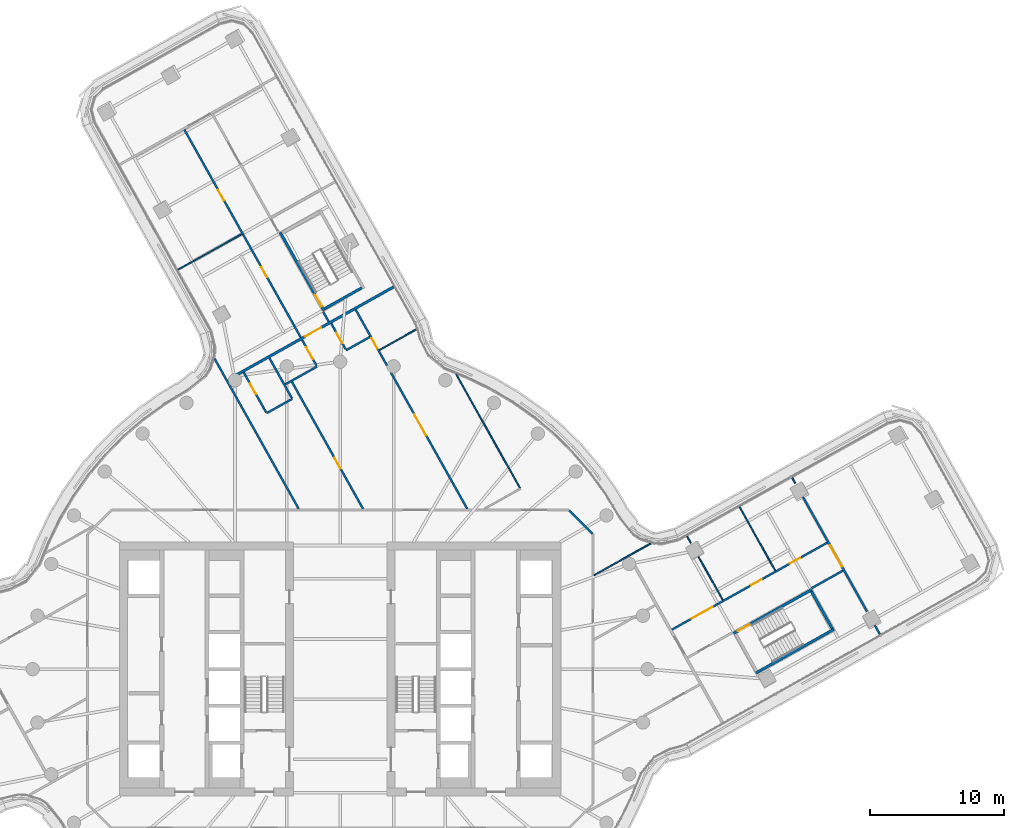
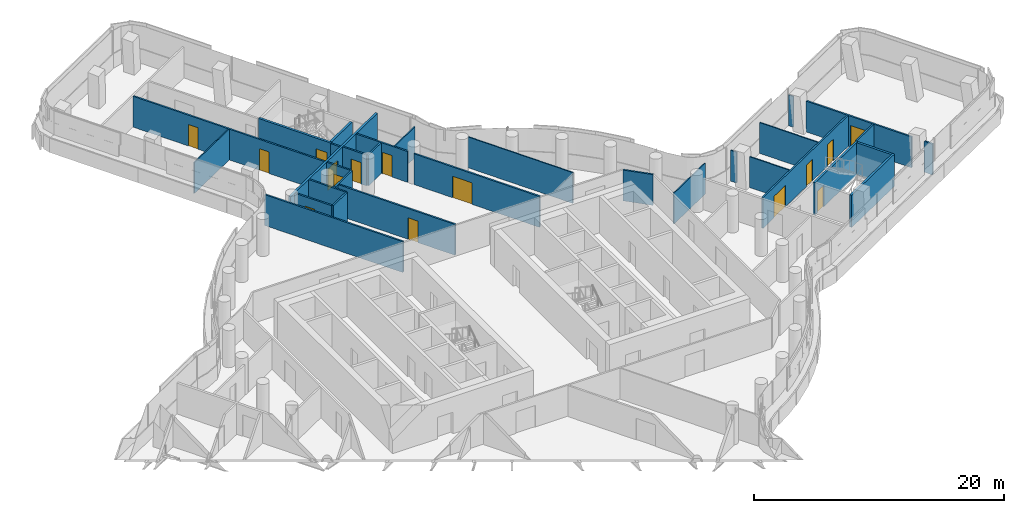
# One storey, part 24 of 34: 31 walls, 15 doors, 15 openings.
"""IFC4 building model written with IfcOpenShell, lengths in metres."""

from ifc_helpers import new_model, si_unit, direction, frame, frame_2d, origin, place, context, subcontext, project, spatial, polyline, rectangle, outline, extrude, material, layer, layer_set, type_object, element, fill, save


model = new_model("IFC4")

# Units and contexts
model_context = context("Model", 3, precision=1e-05, world=origin(), true_north=direction((0.0, 1.0)))
body_context = subcontext(model_context, "Body", "Model", "MODEL_VIEW")
ifc_project = project(units=[si_unit("LENGTHUNIT", "METRE"), si_unit("AREAUNIT", "SQUARE_METRE"), si_unit("VOLUMEUNIT", "CUBIC_METRE"), si_unit("PLANEANGLEUNIT", "RADIAN"), si_unit("MASSUNIT", "GRAM", prefix="KILO")], contexts=[model_context])

# Site, building, storey
site_placement = place(None, origin())
site = spatial("IfcSite", under=ifc_project, at=site_placement, CompositionType="ELEMENT")
building_placement = place(site_placement, origin())
building = spatial("IfcBuilding", under=site, at=building_placement, Name="Tamarind Cross Interchange Tower", CompositionType="ELEMENT")
storey_placement = place(building_placement, frame((0.0, 0.0, 140.5)))
storey = spatial("IfcBuildingStorey", under=building, at=storey_placement, Name="L34", CompositionType="ELEMENT", Elevation=140.5)

# Walls
ifc_material_1 = material(Name="Gypsum board partition on steel studs", Category="steel")
ifc_layer_1 = layer(ifc_material_1, 0.10009765625)
ifc_layer_set_1 = layer_set([ifc_layer_1], Name="Gypsum board partition on steel studs")
wall_type_1 = type_object("IfcWallType", Name="Partition 100 mm EI 90", PredefinedType="PARTITIONING", material=ifc_layer_set_1)
wall_1_placement = place(storey_placement, frame((8.687255859375, 22.04150390625, 0.0), z_axis=(0.0, 0.0, 1.0), x_axis=(0.488719378488, -0.872441040467, 0.0)))
element("IfcWall", 1, at=wall_1_placement, inside=storey, type_object=wall_type_1, Name="Partition L34-026", PredefinedType="PARTITIONING", context=body_context, shape_type="SweptSolid", body=[
    extrude(rectangle(XDim=9.740234375, YDim=0.10009765625, at=frame_2d((4.8701171875, 0.0))), origin(), (0.0, 0.0, 1.0), 3.010009765625),
])
wall_2_placement = place(storey_placement, frame((25.950439453125, 9.93115234375, 0.0), z_axis=(0.0, 0.0, 1.0), x_axis=(0.488985791787, -0.872291749033, 0.0)))
element("IfcWall", 2, at=wall_2_placement, inside=storey, type_object=wall_type_1, Name="Partition L34-028", PredefinedType="PARTITIONING", context=body_context, shape_type="SweptSolid", body=[
    extrude(rectangle(XDim=0.563720703125, YDim=0.10009765625, at=frame_2d((0.28173828125, 0.0))), origin(), (0.0, 0.0, 1.0), 3.010009765625),
])
wall_3_placement = place(storey_placement, frame((26.80908203125, 8.398681640625, 0.0), z_axis=(0.0, 0.0, 1.0), x_axis=(0.488685692094, -0.872459909877, 0.0)))
element("IfcWall", 3, at=wall_3_placement, inside=storey, type_object=wall_type_1, Name="Partition L34-029", PredefinedType="PARTITIONING", context=body_context, shape_type="SweptSolid", body=[
    extrude(rectangle(XDim=3.702392578125, YDim=0.10009765625, at=frame_2d((1.85107421875, 0.0))), origin(), (0.0, 0.0, 1.0), 3.010009765625),
])
wall_4_placement = place(storey_placement, frame((29.88134765625, 12.12255859375, 0.0), z_axis=(0.0, 0.0, 1.0), x_axis=(0.488633378058, -0.872489210161, 0.0)))
element("IfcWall", 4, at=wall_4_placement, inside=storey, type_object=wall_type_1, Name="Partition L34-030", PredefinedType="PARTITIONING", context=body_context, shape_type="SweptSolid", body=[
    extrude(rectangle(XDim=5.449951171875, YDim=0.10009765625, at=frame_2d((2.72509765625, 0.0))), origin(), (0.0, 0.0, 1.0), 3.010009765625),
])
wall_5_placement = place(storey_placement, frame((33.811279296875, 14.3134765625, 0.0), z_axis=(0.0, 0.0, 1.0), x_axis=(0.488635436008, -0.872488057613, 0.0)))
element("IfcWall", 5, at=wall_5_placement, inside=storey, type_object=wall_type_1, Name="Partition L34-031", PredefinedType="PARTITIONING", context=body_context, shape_type="SweptSolid", body=[
    extrude(rectangle(XDim=0.463623046875, YDim=0.10009765625, at=frame_2d((0.23193359375, 0.0))), origin(), (0.0, 0.0, 1.0), 3.010009765625),
])
wall_6_placement = place(storey_placement, frame((-12.12255859375, 29.88134765625, 0.0), z_axis=(0.0, 0.0, 1.0), x_axis=(0.872489210161, 0.488633378058, 0.0)))
element("IfcWall", 6, at=wall_6_placement, inside=storey, type_object=wall_type_1, Name="Partition L34-049", PredefinedType="PARTITIONING", context=body_context, shape_type="SweptSolid", body=[
    extrude(rectangle(XDim=5.449951171875, YDim=0.10009765625, at=frame_2d((2.72509765625, 0.0))), origin(), (0.0, 0.0, 1.0), 3.010009765625),
])
wall_7_placement = place(storey_placement, frame((2.93408203125, 23.87353515625, 0.0), z_axis=(0.0, 0.0, 1.0), x_axis=(0.872446737462, 0.488709208315, 0.0)))
element("IfcWall", 7, at=wall_7_placement, inside=storey, type_object=wall_type_1, Name="Partition L34-053", PredefinedType="PARTITIONING", context=body_context, shape_type="SweptSolid", body=[
    extrude(rectangle(XDim=3.16064453125, YDim=0.10009765625, at=frame_2d((1.580322265625, 0.0))), origin(), (0.0, 0.0, 1.0), 3.010009765625),
])
wall_8_placement = place(storey_placement, frame((18.98291015625, 7.021484375, 0.0), z_axis=(0.0, 0.0, 1.0), x_axis=(0.872449517154, 0.488704245959, 0.0)))
element("IfcWall", 8, at=wall_8_placement, inside=storey, type_object=wall_type_1, Name="Partition L34-066", PredefinedType="PARTITIONING", context=body_context, shape_type="SweptSolid", body=[
    extrude(rectangle(XDim=4.86376953125, YDim=0.10009765625, at=frame_2d((2.431884765625, 0.0))), origin(), (0.0, 0.0, 1.0), 3.010009765625),
])

# Wall, openings, doors
ifc_layer_2 = layer(ifc_material_1, 0.14990234375)
ifc_layer_set_2 = layer_set([ifc_layer_2], Name="Gypsum board partition on steel studs")
wall_type_2 = type_object("IfcWallType", Name="Partition 150 mm EI 120", PredefinedType="PARTITIONING", material=ifc_layer_set_2)
wall_9_placement = place(storey_placement, frame((-11.663330078125, 40.36767578125, 0.0), z_axis=(0.0, 0.0, 1.0), x_axis=(0.488668731848, -0.8724694095, 0.0)))
wall_9 = element("IfcWall", 9, at=wall_9_placement, inside=storey, type_object=wall_type_2, Name="Partition L34-008", PredefinedType="PARTITIONING", context=body_context, shape_type="SweptSolid", body=[
    extrude(rectangle(XDim=20.244873046875, YDim=0.14990234375, at=frame_2d((10.12255859375, 0.0))), origin(), (0.0, 0.0, 1.0), 3.010009765625),
])
opening_1_placement = place(wall_9_placement, frame((18.674560546875, 0.0, 0.0)))
opening_1 = element("IfcOpeningElement", 10, at=opening_1_placement, cuts=wall_9, Name="Opening D03", PredefinedType="OPENING", context=body_context, shape_type="SweptSolid", body=[
    extrude(rectangle(XDim=1.0, YDim=2.10009765625, at=frame_2d((0.5, 1.050048828125))), frame((0.0, 0.0849609375, 0.0), z_axis=(0.0, -1.0, 0.0), x_axis=(1.0, 0.0, 0.0)), (0.0, 0.0, 1.0), 0.169921875),
])
opening_2_placement = place(wall_9_placement, frame((11.77490234375, 0.0, 0.0)))
opening_2 = element("IfcOpeningElement", 11, at=opening_2_placement, cuts=wall_9, Name="Opening D04", PredefinedType="OPENING", context=body_context, shape_type="SweptSolid", body=[
    extrude(rectangle(XDim=0.89990234375, YDim=2.10009765625, at=frame_2d((0.449951171875, 1.050048828125))), frame((0.0, 0.0849609375, 0.0), z_axis=(0.0, -1.0, 0.0), x_axis=(1.0, 0.0, 0.0)), (0.0, 0.0, 1.0), 0.169921875),
])
opening_3_placement = place(wall_9_placement, frame((5.175048828125, 0.0, 0.0)))
opening_3 = element("IfcOpeningElement", 12, at=opening_3_placement, cuts=wall_9, Name="Opening D05", PredefinedType="OPENING", context=body_context, shape_type="SweptSolid", body=[
    extrude(rectangle(XDim=0.89990234375, YDim=2.10009765625, at=frame_2d((0.449951171875, 1.050048828125))), frame((0.0, 0.0849609375, 0.0), z_axis=(0.0, -1.0, 0.0), x_axis=(1.0, 0.0, 0.0)), (0.0, 0.0, 1.0), 0.169921875),
])
ifc_material_2 = material(Name="Fire-resisting door set")
door_type_1 = type_object("IfcDoorType", Name="Interior door 1000 x 2100 FD60S", OperationType="SINGLE_SWING_LEFT", PredefinedType="DOOR", material=ifc_material_2)
door_1_placement = place(opening_1_placement, frame((1.0, 0.0, 0.0), z_axis=(0.0, 0.0, 1.0), x_axis=(-1.0, 0.0, 0.0)))
door_1 = element("IfcDoor", 13, at=door_1_placement, inside=storey, type_object=door_type_1, Name="Door D03", OperationType="SINGLE_SWING_RIGHT", OverallHeight=2.10009765625, OverallWidth=1.0, PredefinedType="DOOR", context=body_context, shape_type="SweptSolid", body=[
    extrude(rectangle(XDim=1.0, YDim=2.10009765625, at=frame_2d((0.5, 1.050048828125))), frame((0.0, 0.02490234375, 0.0), z_axis=(0.0, -1.0, 0.0), x_axis=(1.0, 0.0, 0.0)), (0.0, 0.0, 1.0), 0.050048828125),
])
fill(opening_1, door_1)
door_type_2 = type_object("IfcDoorType", Name="Interior door 900 x 2100 FD60S", OperationType="SINGLE_SWING_LEFT", PredefinedType="DOOR", material=ifc_material_2)
door_2_placement = place(opening_2_placement, frame((0.89990234375, 0.0, 0.0), z_axis=(0.0, 0.0, 1.0), x_axis=(-1.0, 0.0, 0.0)))
door_2 = element("IfcDoor", 14, at=door_2_placement, inside=storey, type_object=door_type_2, Name="Door D04", OperationType="SINGLE_SWING_RIGHT", OverallHeight=2.10009765625, OverallWidth=0.89990234375, PredefinedType="DOOR", context=body_context, shape_type="SweptSolid", body=[
    extrude(rectangle(XDim=0.89990234375, YDim=2.10009765625, at=frame_2d((0.449951171875, 1.050048828125))), frame((0.0, 0.02490234375, 0.0), z_axis=(0.0, -1.0, 0.0), x_axis=(1.0, 0.0, 0.0)), (0.0, 0.0, 1.0), 0.050048828125),
])
fill(opening_2, door_2)
door_3_placement = place(opening_3_placement, frame((0.89990234375, 0.0, 0.0), z_axis=(0.0, 0.0, 1.0), x_axis=(-1.0, 0.0, 0.0)))
door_3 = element("IfcDoor", 15, at=door_3_placement, inside=storey, type_object=door_type_2, Name="Door D05", OperationType="SINGLE_SWING_LEFT", OverallHeight=2.10009765625, OverallWidth=0.89990234375, PredefinedType="DOOR", context=body_context, shape_type="SweptSolid", body=[
    extrude(rectangle(XDim=0.89990234375, YDim=2.10009765625, at=frame_2d((0.449951171875, 1.050048828125))), frame((0.0, 0.02490234375, 0.0), z_axis=(0.0, -1.0, 0.0), x_axis=(1.0, 0.0, 0.0)), (0.0, 0.0, 1.0), 0.050048828125),
])
fill(opening_3, door_3)

# Walls
wall_10_placement = place(storey_placement, frame((-1.27880859375, 26.739013671875, 0.0), z_axis=(0.0, 0.0, 1.0), x_axis=(0.488655274627, -0.872476946732, 0.0)))
element("IfcWall", 16, at=wall_10_placement, inside=storey, type_object=wall_type_2, Name="Partition L34-010", PredefinedType="PARTITIONING", context=body_context, shape_type="SweptSolid", body=[
    extrude(rectangle(XDim=0.859375, YDim=0.14990234375, at=frame_2d((0.4296875, 0.0))), origin(), (0.0, 0.0, 1.0), 3.010009765625),
])
wall_11_placement = place(storey_placement, frame((-9.398193359375, 23.2265625, 0.0), z_axis=(0.0, 0.0, 1.0), x_axis=(0.488675560633, -0.872465584674, 0.0)))
element("IfcWall", 17, at=wall_11_placement, inside=storey, type_object=wall_type_2, Name="Partition L34-013", PredefinedType="PARTITIONING", context=body_context, shape_type="SweptSolid", body=[
    extrude(rectangle(XDim=12.8720703125, YDim=0.14990234375, at=frame_2d((6.43603515625, 0.0))), origin(), (0.0, 0.0, 1.0), 3.010009765625),
])

# Wall, opening, door
wall_12_placement = place(storey_placement, frame((-7.217041015625, 22.19775390625, 0.0), z_axis=(0.0, 0.0, 1.0), x_axis=(0.488703240503, -0.872450080361, 0.0)))
wall_12 = element("IfcWall", 18, at=wall_12_placement, inside=storey, type_object=wall_type_2, Name="Partition L34-014", PredefinedType="PARTITIONING", context=body_context, shape_type="SweptSolid", body=[
    extrude(rectangle(XDim=3.424072265625, YDim=0.14990234375, at=frame_2d((1.7119140625, 0.0))), origin(), (0.0, 0.0, 1.0), 3.010009765625),
])
opening_4_placement = place(wall_12_placement, frame((0.949951171875, 0.0, 0.0)))
opening_4 = element("IfcOpeningElement", 19, at=opening_4_placement, cuts=wall_12, Name="Opening D09", PredefinedType="OPENING", context=body_context, shape_type="SweptSolid", body=[
    extrude(rectangle(XDim=0.89990234375, YDim=2.10009765625, at=frame_2d((0.449951171875, 1.050048828125))), frame((0.0, 0.0849609375, 0.0), z_axis=(0.0, -1.0, 0.0), x_axis=(1.0, 0.0, 0.0)), (0.0, 0.0, 1.0), 0.169921875),
])
door_4_placement = place(opening_4_placement, origin())
door_4 = element("IfcDoor", 20, at=door_4_placement, inside=storey, type_object=door_type_2, Name="Door D09", OperationType="SINGLE_SWING_RIGHT", OverallHeight=2.10009765625, OverallWidth=0.89990234375, PredefinedType="DOOR", context=body_context, shape_type="SweptSolid", body=[
    extrude(rectangle(XDim=0.89990234375, YDim=2.10009765625, at=frame_2d((0.449951171875, 1.050048828125))), frame((0.0, 0.02490234375, 0.0), z_axis=(0.0, -1.0, 0.0), x_axis=(1.0, 0.0, 0.0)), (0.0, 0.0, 1.0), 0.050048828125),
])
fill(opening_4, door_4)

# Wall
wall_13_placement = place(storey_placement, frame((-5.295654296875, 23.269287109375, 0.0), z_axis=(0.0, 0.0, 1.0), x_axis=(0.488599089901, -0.872508412193, 0.0)))
element("IfcWall", 21, at=wall_13_placement, inside=storey, type_object=wall_type_2, Name="Partition L34-015", PredefinedType="PARTITIONING", context=body_context, shape_type="SweptSolid", body=[
    extrude(rectangle(XDim=3.474853515625, YDim=0.14990234375, at=frame_2d((1.7373046875, 0.0))), origin(), (0.0, 0.0, 1.0), 3.010009765625),
])

# Wall, opening, door
wall_14_placement = place(storey_placement, frame((-3.6142578125, 21.49462890625, 0.0), z_axis=(0.0, 0.0, 1.0), x_axis=(0.488699647041, -0.87245209323, 0.0)))
wall_14 = element("IfcWall", 22, at=wall_14_placement, inside=storey, type_object=wall_type_2, Name="Partition L34-016", PredefinedType="PARTITIONING", context=body_context, shape_type="SweptSolid", body=[
    extrude(rectangle(XDim=10.88720703125, YDim=0.14990234375, at=frame_2d((5.443603515625, 0.0))), origin(), (0.0, 0.0, 1.0), 3.010009765625),
])
opening_5_placement = place(wall_14_placement, frame((6.52490234375, 0.0, 0.0)))
opening_5 = element("IfcOpeningElement", 23, at=opening_5_placement, cuts=wall_14, Name="Opening D10", PredefinedType="OPENING", context=body_context, shape_type="SweptSolid", body=[
    extrude(rectangle(XDim=0.89990234375, YDim=2.10009765625, at=frame_2d((0.449951171875, 1.050048828125))), frame((0.0, 0.0849609375, 0.0), z_axis=(0.0, -1.0, 0.0), x_axis=(1.0, 0.0, 0.0)), (0.0, 0.0, 1.0), 0.169921875),
])
door_5_placement = place(opening_5_placement, frame((0.89990234375, 0.0, 0.0), z_axis=(0.0, 0.0, 1.0), x_axis=(-1.0, 0.0, 0.0)))
door_5 = element("IfcDoor", 24, at=door_5_placement, inside=storey, type_object=door_type_2, Name="Door D10", OperationType="SINGLE_SWING_RIGHT", OverallHeight=2.10009765625, OverallWidth=0.89990234375, PredefinedType="DOOR", context=body_context, shape_type="SweptSolid", body=[
    extrude(rectangle(XDim=0.89990234375, YDim=2.10009765625, at=frame_2d((0.449951171875, 1.050048828125))), frame((0.0, 0.02490234375, 0.0), z_axis=(0.0, -1.0, 0.0), x_axis=(1.0, 0.0, 0.0)), (0.0, 0.0, 1.0), 0.050048828125),
])
fill(opening_5, door_5)

wall_15_placement = place(storey_placement, frame((-0.671630859375, 25.859375, 0.0), z_axis=(0.0, 0.0, 1.0), x_axis=(0.488690625144, -0.872457146739, 0.0)))
wall_15 = element("IfcWall", 25, at=wall_15_placement, inside=storey, type_object=wall_type_2, Name="Partition L34-019", PredefinedType="PARTITIONING", context=body_context, shape_type="SweptSolid", body=[
    extrude(rectangle(XDim=2.215087890625, YDim=0.14990234375, at=frame_2d((1.107421875, 0.0))), origin(), (0.0, 0.0, 1.0), 3.010009765625),
])
opening_6_placement = place(wall_15_placement, frame((0.794921875, 0.0, 0.0)))
opening_6 = element("IfcOpeningElement", 26, at=opening_6_placement, cuts=wall_15, Name="Opening D12", PredefinedType="OPENING", context=body_context, shape_type="SweptSolid", body=[
    extrude(rectangle(XDim=0.89990234375, YDim=2.10009765625, at=frame_2d((0.449951171875, 1.050048828125))), frame((0.0, 0.0849609375, 0.0), z_axis=(0.0, -1.0, 0.0), x_axis=(1.0, 0.0, 0.0)), (0.0, 0.0, 1.0), 0.169921875),
])
door_6_placement = place(opening_6_placement, origin())
door_6 = element("IfcDoor", 27, at=door_6_placement, inside=storey, type_object=door_type_2, Name="Door D12", OperationType="SINGLE_SWING_LEFT", OverallHeight=2.10009765625, OverallWidth=0.89990234375, PredefinedType="DOOR", context=body_context, shape_type="SweptSolid", body=[
    extrude(rectangle(XDim=0.89990234375, YDim=2.10009765625, at=frame_2d((0.449951171875, 1.050048828125))), frame((0.0, 0.02490234375, 0.0), z_axis=(0.0, -1.0, 0.0), x_axis=(1.0, 0.0, 0.0)), (0.0, 0.0, 1.0), 0.050048828125),
])
fill(opening_6, door_6)

wall_16_placement = place(storey_placement, frame((1.160400390625, 26.885498046875, 0.0), z_axis=(0.0, 0.0, 1.0), x_axis=(0.488667044678, -0.872470354479, 0.0)))
wall_16 = element("IfcWall", 28, at=wall_16_placement, inside=storey, type_object=wall_type_2, Name="Partition L34-022", PredefinedType="PARTITIONING", context=body_context, shape_type="SweptSolid", body=[
    extrude(rectangle(XDim=4.78662109375, YDim=0.14990234375, at=frame_2d((2.393310546875, 0.0))), origin(), (0.0, 0.0, 1.0), 3.010009765625),
])
opening_7_placement = place(wall_16_placement, frame((2.4453125, 0.0, 0.0)))
opening_7 = element("IfcOpeningElement", 29, at=opening_7_placement, cuts=wall_16, Name="Opening D14", PredefinedType="OPENING", context=body_context, shape_type="SweptSolid", body=[
    extrude(rectangle(XDim=0.89990234375, YDim=2.10009765625, at=frame_2d((0.449951171875, 1.050048828125))), frame((0.0, 0.0849609375, 0.0), z_axis=(0.0, -1.0, 0.0), x_axis=(1.0, 0.0, 0.0)), (0.0, 0.0, 1.0), 0.169921875),
])
door_7_placement = place(opening_7_placement, origin())
door_7 = element("IfcDoor", 30, at=door_7_placement, inside=storey, type_object=door_type_2, Name="Door D14", OperationType="SINGLE_SWING_LEFT", OverallHeight=2.10009765625, OverallWidth=0.89990234375, PredefinedType="DOOR", context=body_context, shape_type="SweptSolid", body=[
    extrude(rectangle(XDim=0.89990234375, YDim=2.10009765625, at=frame_2d((0.449951171875, 1.050048828125))), frame((0.0, 0.02490234375, 0.0), z_axis=(0.0, -1.0, 0.0), x_axis=(1.0, 0.0, 0.0)), (0.0, 0.0, 1.0), 0.050048828125),
])
fill(opening_7, door_7)

wall_17_placement = place(storey_placement, frame((3.787109375, 22.196044921875, 0.0), z_axis=(0.0, 0.0, 1.0), x_axis=(0.488718412152, -0.872441581783, 0.0)))
wall_17 = element("IfcWall", 31, at=wall_17_placement, inside=storey, type_object=wall_type_2, Name="Partition L34-023", PredefinedType="PARTITIONING", context=body_context, shape_type="SweptSolid", body=[
    extrude(rectangle(XDim=11.696044921875, YDim=0.14990234375, at=frame_2d((5.84814453125, 0.0))), origin(), (0.0, 0.0, 1.0), 3.010009765625),
])
opening_8_placement = place(wall_17_placement, frame((3.60009765625, 0.0, 0.0)))
opening_8 = element("IfcOpeningElement", 32, at=opening_8_placement, cuts=wall_17, Name="Opening D15", PredefinedType="OPENING", context=body_context, shape_type="SweptSolid", body=[
    extrude(rectangle(XDim=1.800048828125, YDim=2.10009765625, at=frame_2d((0.89990234375, 1.050048828125))), frame((0.0, 0.0849609375, 0.0), z_axis=(0.0, -1.0, 0.0), x_axis=(1.0, 0.0, 0.0)), (0.0, 0.0, 1.0), 0.169921875),
])
door_type_3 = type_object("IfcDoorType", Name="Interior door 1800 x 2100 FD60S", OperationType="DOUBLE_DOOR_SINGLE_SWING", PredefinedType="DOOR", material=ifc_material_2)
door_8_placement = place(opening_8_placement, origin())
door_8 = element("IfcDoor", 33, at=door_8_placement, inside=storey, type_object=door_type_3, Name="Door D15", OperationType="DOUBLE_DOOR_SINGLE_SWING", OverallHeight=2.10009765625, OverallWidth=1.800048828125, PredefinedType="DOOR", context=body_context, shape_type="SweptSolid", body=[
    extrude(rectangle(XDim=1.800048828125, YDim=2.10009765625, at=frame_2d((0.89990234375, 1.050048828125))), frame((0.0, 0.02490234375, 0.0), z_axis=(0.0, -1.0, 0.0), x_axis=(1.0, 0.0, 0.0)), (0.0, 0.0, 1.0), 0.050048828125),
])
fill(opening_8, door_8)

wall_18_placement = place(storey_placement, frame((34.62060546875, 12.868408203125, 0.0), z_axis=(0.0, 0.0, 1.0), x_axis=(0.488729252253, -0.87243550936, 0.0)))
wall_18 = element("IfcWall", 34, at=wall_18_placement, inside=storey, type_object=wall_type_2, Name="Partition L34-032", PredefinedType="PARTITIONING", context=body_context, shape_type="SweptSolid", body=[
    extrude(rectangle(XDim=9.802978515625, YDim=0.14990234375, at=frame_2d((4.9013671875, 0.0))), origin(), (0.0, 0.0, 1.0), 3.010009765625),
])
opening_9_placement = place(wall_18_placement, frame((4.15966796875, 0.0, 0.0)))
opening_9 = element("IfcOpeningElement", 35, at=opening_9_placement, cuts=wall_18, Name="Opening D18", PredefinedType="OPENING", context=body_context, shape_type="SweptSolid", body=[
    extrude(rectangle(XDim=1.800048828125, YDim=2.10009765625, at=frame_2d((0.89990234375, 1.050048828125))), frame((0.0, 0.0849609375, 0.0), z_axis=(0.0, -1.0, 0.0), x_axis=(1.0, 0.0, 0.0)), (0.0, 0.0, 1.0), 0.169921875),
])
door_9_placement = place(opening_9_placement, origin())
door_9 = element("IfcDoor", 36, at=door_9_placement, inside=storey, type_object=door_type_3, Name="Door D18", OperationType="DOUBLE_DOOR_SINGLE_SWING", OverallHeight=2.10009765625, OverallWidth=1.800048828125, PredefinedType="DOOR", context=body_context, shape_type="SweptSolid", body=[
    extrude(rectangle(XDim=1.800048828125, YDim=2.10009765625, at=frame_2d((0.89990234375, 1.050048828125))), frame((0.0, 0.02490234375, 0.0), z_axis=(0.0, -1.0, 0.0), x_axis=(1.0, 0.0, 0.0)), (0.0, 0.0, 1.0), 0.050048828125),
])
fill(opening_9, door_9)

# Walls
wall_19_placement = place(storey_placement, frame((39.9951171875, 3.274169921875, 0.0), z_axis=(0.0, 0.0, 1.0), x_axis=(0.488525278146, -0.8725497422, 0.0)))
element("IfcWall", 37, at=wall_19_placement, inside=storey, type_object=wall_type_2, Name="Partition L34-033", PredefinedType="PARTITIONING", context=body_context, shape_type="SweptSolid", body=[
    extrude(rectangle(XDim=0.76171875, YDim=0.14990234375, at=frame_2d((0.380859375, 0.0))), origin(), (0.0, 0.0, 1.0), 3.010009765625),
])
wall_20_placement = place(storey_placement, frame((17.12841796875, 11.87158203125, 0.0), z_axis=(0.0, 0.0, 1.0), x_axis=(0.707106781187, -0.707106781187, 0.0)))
element("IfcWall", 38, at=wall_20_placement, inside=storey, type_object=wall_type_2, Name="Partition L34-035", PredefinedType="PARTITIONING", context=body_context, shape_type="SweptSolid", body=[
    extrude(rectangle(XDim=2.465087890625, YDim=0.14990234375, at=frame_2d((1.232421875, 0.0))), origin(), (0.0, 0.0, 1.0), 3.010009765625),
])
wall_21_placement = place(storey_placement, frame((-5.507080078125, 19.14501953125, 0.0), z_axis=(0.0, 0.0, 1.0), x_axis=(0.872466268748, 0.488674339307, 0.0)))
element("IfcWall", 39, at=wall_21_placement, inside=storey, type_object=wall_type_2, Name="Partition L34-052", PredefinedType="PARTITIONING", context=body_context, shape_type="SweptSolid", body=[
    extrude(rectangle(XDim=2.19970703125, YDim=0.14990234375, at=frame_2d((1.099853515625, 0.0))), origin(), (0.0, 0.0, 1.0), 3.010009765625),
])
wall_22_placement = place(storey_placement, frame((-4.108642578125, 21.3037109375, 0.0), z_axis=(0.0, 0.0, 1.0), x_axis=(0.872440315034, 0.488720673497, 0.0)))
element("IfcWall", 40, at=wall_22_placement, inside=storey, type_object=wall_type_2, Name="Partition L34-054", PredefinedType="PARTITIONING", context=body_context, shape_type="SweptSolid", body=[
    extrude(rectangle(XDim=2.72509765625, YDim=0.14990234375, at=frame_2d((1.362548828125, 0.0))), origin(), (0.0, 0.0, 1.0), 3.010009765625),
])
wall_23_placement = place(storey_placement, frame((0.44970703125, 23.857421875, 0.0), z_axis=(0.0, 0.0, 1.0), x_axis=(0.872462835534, 0.488680468825, 0.0)))
element("IfcWall", 41, at=wall_23_placement, inside=storey, type_object=wall_type_2, Name="Partition L34-055", PredefinedType="PARTITIONING", context=body_context, shape_type="SweptSolid", body=[
    extrude(rectangle(XDim=2.02490234375, YDim=0.14990234375, at=frame_2d((1.012451171875, 0.0))), origin(), (0.0, 0.0, 1.0), 3.010009765625),
])

# Wall, openings, doors
wall_24_placement = place(storey_placement, frame((24.816162109375, 2.952880859375, 0.0), z_axis=(0.0, 0.0, 1.0), x_axis=(0.87246758345, 0.488671992066, 0.0)))
wall_24 = element("IfcWall", 42, at=wall_24_placement, inside=storey, type_object=wall_type_2, Name="Partition L34-067", PredefinedType="PARTITIONING", context=body_context, shape_type="SweptSolid", body=[
    extrude(rectangle(XDim=13.324951171875, YDim=0.14990234375, at=frame_2d((6.66259765625, 0.0))), origin(), (0.0, 0.0, 1.0), 3.010009765625),
])
opening_10_placement = place(wall_24_placement, frame((6.7998046875, 0.0, 0.0)))
opening_10 = element("IfcOpeningElement", 43, at=opening_10_placement, cuts=wall_24, Name="Opening D35", PredefinedType="OPENING", context=body_context, shape_type="SweptSolid", body=[
    extrude(rectangle(XDim=0.89990234375, YDim=2.10009765625, at=frame_2d((0.449951171875, 1.050048828125))), frame((0.0, 0.0849609375, 0.0), z_axis=(0.0, -1.0, 0.0), x_axis=(1.0, 0.0, 0.0)), (0.0, 0.0, 1.0), 0.169921875),
])
opening_11_placement = place(wall_24_placement, frame((10.099853515625, 0.0, 0.0)))
opening_11 = element("IfcOpeningElement", 44, at=opening_11_placement, cuts=wall_24, Name="Opening D36", PredefinedType="OPENING", context=body_context, shape_type="SweptSolid", body=[
    extrude(rectangle(XDim=0.89990234375, YDim=2.10009765625, at=frame_2d((0.449951171875, 1.050048828125))), frame((0.0, 0.0849609375, 0.0), z_axis=(0.0, -1.0, 0.0), x_axis=(1.0, 0.0, 0.0)), (0.0, 0.0, 1.0), 0.169921875),
])
opening_12_placement = place(wall_24_placement, frame((1.699951171875, 0.0, 0.0)))
opening_12 = element("IfcOpeningElement", 45, at=opening_12_placement, cuts=wall_24, Name="Opening D37", PredefinedType="OPENING", context=body_context, shape_type="SweptSolid", body=[
    extrude(rectangle(XDim=1.800048828125, YDim=2.10009765625, at=frame_2d((0.89990234375, 1.050048828125))), frame((0.0, 0.0849609375, 0.0), z_axis=(0.0, -1.0, 0.0), x_axis=(1.0, 0.0, 0.0)), (0.0, 0.0, 1.0), 0.169921875),
])
door_10_placement = place(opening_12_placement, origin())
door_10 = element("IfcDoor", 46, at=door_10_placement, inside=storey, type_object=door_type_3, Name="Door D37", OperationType="DOUBLE_DOOR_SINGLE_SWING", OverallHeight=2.10009765625, OverallWidth=1.800048828125, PredefinedType="DOOR", context=body_context, shape_type="SweptSolid", body=[
    extrude(rectangle(XDim=1.800048828125, YDim=2.10009765625, at=frame_2d((0.89990234375, 1.050048828125))), frame((0.0, 0.02490234375, 0.0), z_axis=(0.0, -1.0, 0.0), x_axis=(1.0, 0.0, 0.0)), (0.0, 0.0, 1.0), 0.050048828125),
])
fill(opening_12, door_10)
door_11_placement = place(opening_10_placement, origin())
door_11 = element("IfcDoor", 47, at=door_11_placement, inside=storey, type_object=door_type_2, Name="Door D35", OperationType="SINGLE_SWING_LEFT", OverallHeight=2.10009765625, OverallWidth=0.89990234375, PredefinedType="DOOR", context=body_context, shape_type="SweptSolid", body=[
    extrude(rectangle(XDim=0.89990234375, YDim=2.10009765625, at=frame_2d((0.449951171875, 1.050048828125))), frame((0.0, 0.02490234375, 0.0), z_axis=(0.0, -1.0, 0.0), x_axis=(1.0, 0.0, 0.0)), (0.0, 0.0, 1.0), 0.050048828125),
])
fill(opening_10, door_11)
door_12_placement = place(opening_11_placement, origin())
door_12 = element("IfcDoor", 48, at=door_12_placement, inside=storey, type_object=door_type_2, Name="Door D36", OperationType="SINGLE_SWING_LEFT", OverallHeight=2.10009765625, OverallWidth=0.89990234375, PredefinedType="DOOR", context=body_context, shape_type="SweptSolid", body=[
    extrude(rectangle(XDim=0.89990234375, YDim=2.10009765625, at=frame_2d((0.449951171875, 1.050048828125))), frame((0.0, 0.02490234375, 0.0), z_axis=(0.0, -1.0, 0.0), x_axis=(1.0, 0.0, 0.0)), (0.0, 0.0, 1.0), 0.050048828125),
])
fill(opening_11, door_12)

# Wall
wall_25_placement = place(storey_placement, frame((35.27197265625, 6.05908203125, 0.0), z_axis=(0.0, 0.0, 1.0), x_axis=(0.872453287123, 0.488697515635, 0.0)))
element("IfcWall", 49, at=wall_25_placement, inside=storey, type_object=wall_type_2, Name="Partition L34-069", PredefinedType="PARTITIONING", context=body_context, shape_type="SweptSolid", body=[
    extrude(rectangle(XDim=2.684814453125, YDim=0.14990234375, at=frame_2d((1.34228515625, 0.0))), origin(), (0.0, 0.0, 1.0), 3.010009765625),
])

# Wall, opening, door
ifc_layer_3 = layer(ifc_material_1, 0.199951171875)
ifc_layer_set_3 = layer_set([ifc_layer_3], Name="Gypsum board partition on steel studs")
wall_type_3 = type_object("IfcWallType", Name="Partition 200 mm EI 180", PredefinedType="PARTITIONING", material=ifc_layer_set_3)
wall_26_placement = place(storey_placement, frame((-7.87451171875, 21.944580078125, 0.0), z_axis=(0.0, 0.0, 1.0), x_axis=(0.872611328479, 0.488415263286, 0.0)))
wall_26 = element("IfcWall", 50, at=wall_26_placement, inside=storey, type_object=wall_type_3, Name="Partition L34-051", PredefinedType="PARTITIONING", context=body_context, shape_type="SweptSolid", body=[
    extrude(rectangle(XDim=13.59619140625, YDim=0.199951171875, at=frame_2d((6.798095703125, 0.0))), origin(), (0.0, 0.0, 1.0), 3.010009765625),
])
opening_13_placement = place(wall_26_placement, frame((5.997314453125, 0.0, 0.0)))
opening_13 = element("IfcOpeningElement", 51, at=opening_13_placement, cuts=wall_26, Name="Opening D31", PredefinedType="OPENING", context=body_context, shape_type="SweptSolid", body=[
    extrude(rectangle(XDim=1.39990234375, YDim=2.10009765625, at=frame_2d((0.699951171875, 1.050048828125))), frame((0.0, 0.10986328125, 0.0), z_axis=(0.0, -1.0, 0.0), x_axis=(1.0, 0.0, 0.0)), (0.0, 0.0, 1.0), 0.219970703125),
])
door_type_4 = type_object("IfcDoorType", Name="Interior door 1400 x 2100 FD120S", OperationType="DOUBLE_DOOR_SINGLE_SWING", PredefinedType="DOOR", material=ifc_material_2)
door_13_placement = place(opening_13_placement, frame((1.39990234375, 0.0, 0.0), z_axis=(0.0, 0.0, 1.0), x_axis=(-1.0, 0.0, 0.0)))
door_13 = element("IfcDoor", 52, at=door_13_placement, inside=storey, type_object=door_type_4, Name="Door D31", OperationType="DOUBLE_DOOR_SINGLE_SWING", OverallHeight=2.10009765625, OverallWidth=1.39990234375, PredefinedType="DOOR", context=body_context, shape_type="SweptSolid", body=[
    extrude(rectangle(XDim=1.39990234375, YDim=2.10009765625, at=frame_2d((0.699951171875, 1.050048828125))), frame((0.0, 0.02490234375, 0.0), z_axis=(0.0, -1.0, 0.0), x_axis=(1.0, 0.0, 0.0)), (0.0, 0.0, 1.0), 0.050048828125),
])
fill(opening_13, door_13)

ifc_material_3 = material(Name="Concrete C40", Category="concrete")
ifc_layer_4 = layer(ifc_material_3, 0.199951171875)
ifc_layer_set_4 = layer_set([ifc_layer_4], Name="Concrete C40")
wall_type_4 = type_object("IfcWallType", Name="Stair shaft wall 200 mm Concrete C40", PredefinedType="SHEAR", material=ifc_layer_set_4)
wall_27_placement = place(storey_placement, frame((29.4404296875, 2.677490234375, -0.139892578125), z_axis=(0.0, 0.0, 1.0), x_axis=(0.872445115734, 0.488712103422, 0.0)))
wall_27 = element("IfcWall", 53, at=wall_27_placement, inside=storey, type_object=wall_type_4, Name="Core wall CWL-L34-ST3-H", PredefinedType="SHEAR", context=body_context, shape_type="SweptSolid", body=[
    extrude(rectangle(XDim=6.7001953125, YDim=0.199951171875, at=frame_2d((3.35009765625, 0.0))), origin(), (0.0, 0.0, 1.0), 3.14990234375),
])
opening_14_placement = place(wall_27_placement, frame((0.35009765625, 0.0, 0.0)))
opening_14 = element("IfcOpeningElement", 54, at=opening_14_placement, cuts=wall_27, Name="Opening ST3L34", PredefinedType="OPENING", context=body_context, shape_type="SweptSolid", body=[
    extrude(rectangle(XDim=1.0, YDim=2.10009765625, at=frame_2d((0.5, 1.050048828125))), frame((0.0, 0.10986328125, 0.0), z_axis=(0.0, -1.0, 0.0), x_axis=(1.0, 0.0, 0.0)), (0.0, 0.0, 1.0), 0.219970703125),
])
ifc_material_4 = material(Name="Steel, fire-resisting", Category="steel")
door_type_5 = type_object("IfcDoorType", Name="Core fire door 1000 x 2100 FD90", OperationType="SINGLE_SWING_LEFT", PredefinedType="DOOR", material=ifc_material_4)
door_14_placement = place(opening_14_placement, origin())
door_14 = element("IfcDoor", 55, at=door_14_placement, inside=storey, type_object=door_type_5, Name="L34 stair door ST3", OperationType="SINGLE_SWING_LEFT", OverallHeight=2.10009765625, OverallWidth=1.0, PredefinedType="DOOR", context=body_context, shape_type="SweptSolid", body=[
    extrude(rectangle(XDim=1.0, YDim=2.10009765625, at=frame_2d((0.5, 1.050048828125))), frame((0.0, 0.02490234375, 0.0), z_axis=(0.0, -1.0, 0.0), x_axis=(1.0, 0.0, 0.0)), (0.0, 0.0, 1.0), 0.050048828125),
])
fill(opening_14, door_14)

# Walls
wall_28_placement = place(storey_placement, frame((31.10205078125, -0.288818359375, -0.139892578125), z_axis=(0.0, 0.0, 1.0), x_axis=(0.872460651983, 0.488684367195, 0.0)))
element("IfcWall", 56, at=wall_28_placement, inside=storey, type_object=wall_type_4, Name="Core wall CWL-L34-ST3-C", PredefinedType="SHEAR", context=body_context, shape_type="SweptSolid", body=[
    extrude(rectangle(XDim=6.699951171875, YDim=0.199951171875, at=frame_2d((3.35009765625, 0.0))), origin(), (0.0, 0.0, 1.0), 3.14990234375),
])
wall_29_placement = place(storey_placement, frame((0.0, 0.0, -0.139892578125)))
element("IfcWall", 57, at=wall_29_placement, inside=storey, type_object=wall_type_4, Name="Core wall CWL-L34-ST3-CF", PredefinedType="SHEAR", context=body_context, shape_type="SweptSolid", body=[
    extrude(outline(polyline([(36.72412109375, 2.974853515625), (36.898681640625, 3.07275390625), (35.334716796875, 5.864501953125), (35.160400390625, 5.766845703125), (36.72412109375, 2.974853515625)])), origin(), (0.0, 0.0, 1.0), 3.14990234375),
])

# Wall, opening, door
wall_30_placement = place(storey_placement, frame((-1.21142578125, 26.822998046875, -0.139892578125), z_axis=(0.0, 0.0, 1.0), x_axis=(-0.488668831527, 0.872469353671, 0.0)))
wall_30 = element("IfcWall", 58, at=wall_30_placement, inside=storey, type_object=wall_type_4, Name="Core wall CWL-L34-ST4-H", PredefinedType="SHEAR", context=body_context, shape_type="SweptSolid", body=[
    extrude(rectangle(XDim=6.7001953125, YDim=0.199951171875, at=frame_2d((3.35009765625, 0.0))), origin(), (0.0, 0.0, 1.0), 3.14990234375),
])
opening_15_placement = place(wall_30_placement, frame((0.35009765625, 0.0, 0.0)))
opening_15 = element("IfcOpeningElement", 59, at=opening_15_placement, cuts=wall_30, Name="Opening ST4L34", PredefinedType="OPENING", context=body_context, shape_type="SweptSolid", body=[
    extrude(rectangle(XDim=1.0, YDim=2.10009765625, at=frame_2d((0.5, 1.050048828125))), frame((0.0, 0.10986328125, 0.0), z_axis=(0.0, -1.0, 0.0), x_axis=(1.0, 0.0, 0.0)), (0.0, 0.0, 1.0), 0.219970703125),
])
door_15_placement = place(opening_15_placement, origin())
door_15 = element("IfcDoor", 60, at=door_15_placement, inside=storey, type_object=door_type_5, Name="L34 stair door ST4", OperationType="SINGLE_SWING_LEFT", OverallHeight=2.10009765625, OverallWidth=1.0, PredefinedType="DOOR", context=body_context, shape_type="SweptSolid", body=[
    extrude(rectangle(XDim=1.0, YDim=2.10009765625, at=frame_2d((0.5, 1.050048828125))), frame((0.0, 0.02490234375, 0.0), z_axis=(0.0, -1.0, 0.0), x_axis=(1.0, 0.0, 0.0)), (0.0, 0.0, 1.0), 0.050048828125),
])
fill(opening_15, door_15)

# Wall
wall_31_placement = place(storey_placement, frame((1.61865234375, 28.52294921875, -0.139892578125), z_axis=(0.0, 0.0, 1.0), x_axis=(-0.87246047536, -0.488684682526, 0.0)))
element("IfcWall", 61, at=wall_31_placement, inside=storey, type_object=wall_type_4, Name="Core wall CWL-L34-ST4-CE", PredefinedType="SHEAR", context=body_context, shape_type="SweptSolid", body=[
    extrude(rectangle(XDim=3.199951171875, YDim=0.199951171875, at=frame_2d((1.60009765625, 0.0))), origin(), (0.0, 0.0, 1.0), 3.14990234375),
])

save(model, "model.ifc")
